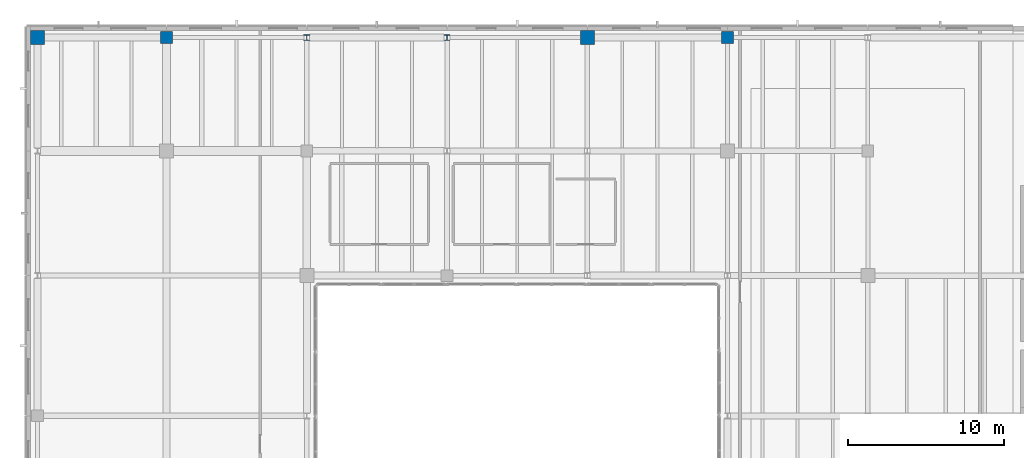
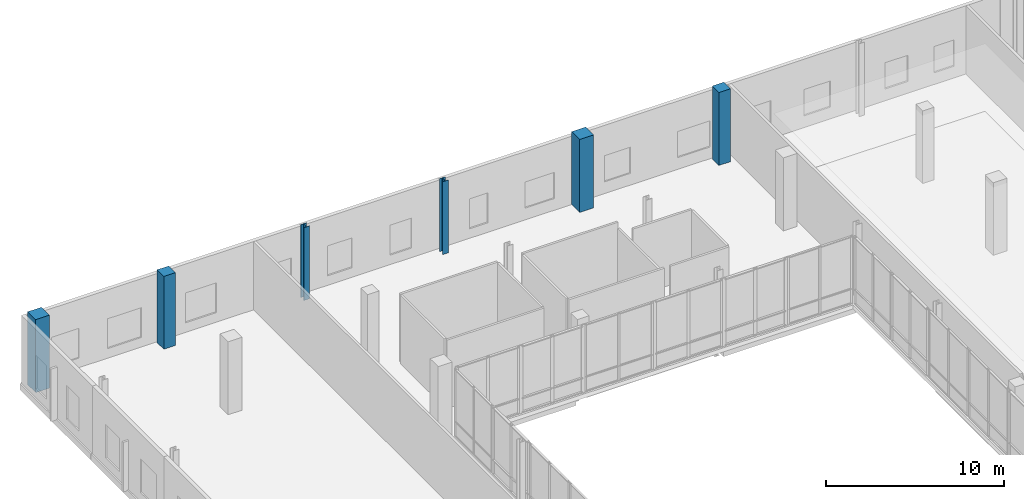
# One storey, part 9 of 81: 6 columns.
"""IFC4 building model written with IfcOpenShell, lengths in metres."""

from ifc_helpers import new_model, si_unit, direction, frame, origin, origin_2d, place, context, subcontext, project, spatial, rectangle, i_section, extrude, material, material_profile, profile_set, type_object, element, save


model = new_model("IFC4")

# Units and contexts
model_context = context("Model", 3, precision=1e-05, world=origin(), true_north=direction((0.0, 1.0)))
body_context = subcontext(model_context, "Body", "Model", "MODEL_VIEW")
ifc_project = project(units=[si_unit("LENGTHUNIT", "METRE"), si_unit("AREAUNIT", "SQUARE_METRE"), si_unit("VOLUMEUNIT", "CUBIC_METRE"), si_unit("PLANEANGLEUNIT", "RADIAN"), si_unit("MASSUNIT", "GRAM", prefix="KILO")], contexts=[model_context])

# Site, building, storey
site_placement = place(None, origin())
site = spatial("IfcSite", under=ifc_project, at=site_placement, CompositionType="ELEMENT")
building_placement = place(site_placement, origin())
building = spatial("IfcBuilding", under=site, at=building_placement, Name="Trimount Lyric Opera House", CompositionType="ELEMENT")
storey_placement = place(building_placement, frame((0.0, 0.0, 5.0)))
storey = spatial("IfcBuildingStorey", under=building, at=storey_placement, Name="L01", CompositionType="ELEMENT", Elevation=5.0)

# Columns
ifc_material_1 = material(Name="Steel ASTM A992 Grade 50", Category="steel")
ifc_material_profile_1 = material_profile(ifc_material_1, i_section(OverallWidth=0.373046875, OverallDepth=0.367919921875, WebThickness=0.014892578125, FlangeThickness=0.02392578125, FilletRadius=0.014892578125, at=origin_2d()), Name="W14X120")
ifc_profile_set_1 = profile_set([ifc_material_profile_1], Name="Steel ASTM A992 Grade 50")
column_type_1 = type_object("IfcColumnType", Name="C-04", PredefinedType="COLUMN", material=ifc_profile_set_1)
column_1_placement = place(storey_placement, frame((27.0, 117.280029296875, 0.0), z_axis=(0.0, 0.0, 1.0), x_axis=(1.0, 0.0, 0.0)))
element("IfcColumn", 1, at=column_1_placement, inside=storey, type_object=column_type_1, Name="L01 column 4/P", PredefinedType="COLUMN", context=body_context, shape_type="SweptSolid", body=[
    extrude(i_section(OverallWidth=0.373046875, OverallDepth=0.367919921875, WebThickness=0.014892578125, FlangeThickness=0.02392578125, FilletRadius=0.014892578125, at=origin_2d()), origin(), (0.0, 0.0, 1.0), 5.0),
])
ifc_material_2 = material(Name="Steel ASTM A992 Grade 50", Category="steel")
ifc_material_profile_2 = material_profile(ifc_material_2, i_section(OverallWidth=0.367919921875, OverallDepth=0.35595703125, WebThickness=0.01123046875, FlangeThickness=0.01806640625, FilletRadius=0.014892578125, at=origin_2d()), Name="W14X90")
ifc_profile_set_2 = profile_set([ifc_material_profile_2], Name="Steel ASTM A992 Grade 50")
column_type_2 = type_object("IfcColumnType", Name="C-09", PredefinedType="COLUMN", material=ifc_profile_set_2)
column_2_placement = place(storey_placement, frame((18.0, 117.280029296875, 0.0), z_axis=(0.0, 0.0, 1.0), x_axis=(1.0, 0.0, 0.0)))
element("IfcColumn", 2, at=column_2_placement, inside=storey, type_object=column_type_2, Name="L01 column 3/P", PredefinedType="COLUMN", context=body_context, shape_type="SweptSolid", body=[
    extrude(i_section(OverallWidth=0.367919921875, OverallDepth=0.35595703125, WebThickness=0.01123046875, FlangeThickness=0.01806640625, FilletRadius=0.014892578125, at=origin_2d()), origin(), (0.0, 0.0, 1.0), 5.0),
])
ifc_material_3 = material(Name="Concrete C50/60", Category="concrete")
ifc_material_profile_3 = material_profile(ifc_material_3, rectangle(XDim=0.89990234375, YDim=0.89990234375, at=origin_2d()), Name="RC900X900")
ifc_profile_set_3 = profile_set([ifc_material_profile_3], Name="Concrete C50/60")
column_type_3 = type_object("IfcColumnType", Name="C-13", PredefinedType="COLUMN", material=ifc_profile_set_3)
for number, where, z_axis, x_axis, name in (
    (3, (0.719970703125, 117.280029296875, 0.0), (0.0, 0.0, 1.0), (1.0, 0.0, 0.0), "L01 column 1/P"),
    (4, (36.0, 117.280029296875, 0.0), (0.0, 0.0, 1.0), (1.0, 0.0, 0.0), "L01 column 5/P"),
):
    element("IfcColumn", number, at=place(storey_placement, frame(where, z_axis=z_axis, x_axis=x_axis)), inside=storey, type_object=column_type_3, Name=name, PredefinedType="COLUMN", context=body_context, shape_type="SweptSolid", body=[
        extrude(rectangle(XDim=0.89990234375, YDim=0.89990234375, at=origin_2d()), origin(), (0.0, 0.0, 1.0), 5.0),
    ])
ifc_material_4 = material(Name="Concrete C40/50", Category="concrete")
ifc_material_profile_4 = material_profile(ifc_material_4, rectangle(XDim=0.75, YDim=0.75, at=origin_2d()), Name="RC750X750")
ifc_profile_set_4 = profile_set([ifc_material_profile_4], Name="Concrete C40/50")
column_type_4 = type_object("IfcColumnType", Name="C-15", PredefinedType="COLUMN", material=ifc_profile_set_4)
for number, where, z_axis, x_axis, name in (
    (5, (9.0, 117.280029296875, 0.0), (0.0, 0.0, 1.0), (1.0, 0.0, 0.0), "L01 column 2/P"),
    (6, (45.0, 117.280029296875, 0.0), (0.0, 0.0, 1.0), (1.0, 0.0, 0.0), "L01 column 6/P"),
):
    element("IfcColumn", number, at=place(storey_placement, frame(where, z_axis=z_axis, x_axis=x_axis)), inside=storey, type_object=column_type_4, Name=name, PredefinedType="COLUMN", context=body_context, shape_type="SweptSolid", body=[
        extrude(rectangle(XDim=0.75, YDim=0.75, at=origin_2d()), origin(), (0.0, 0.0, 1.0), 5.0),
    ])

save(model, "model.ifc")
